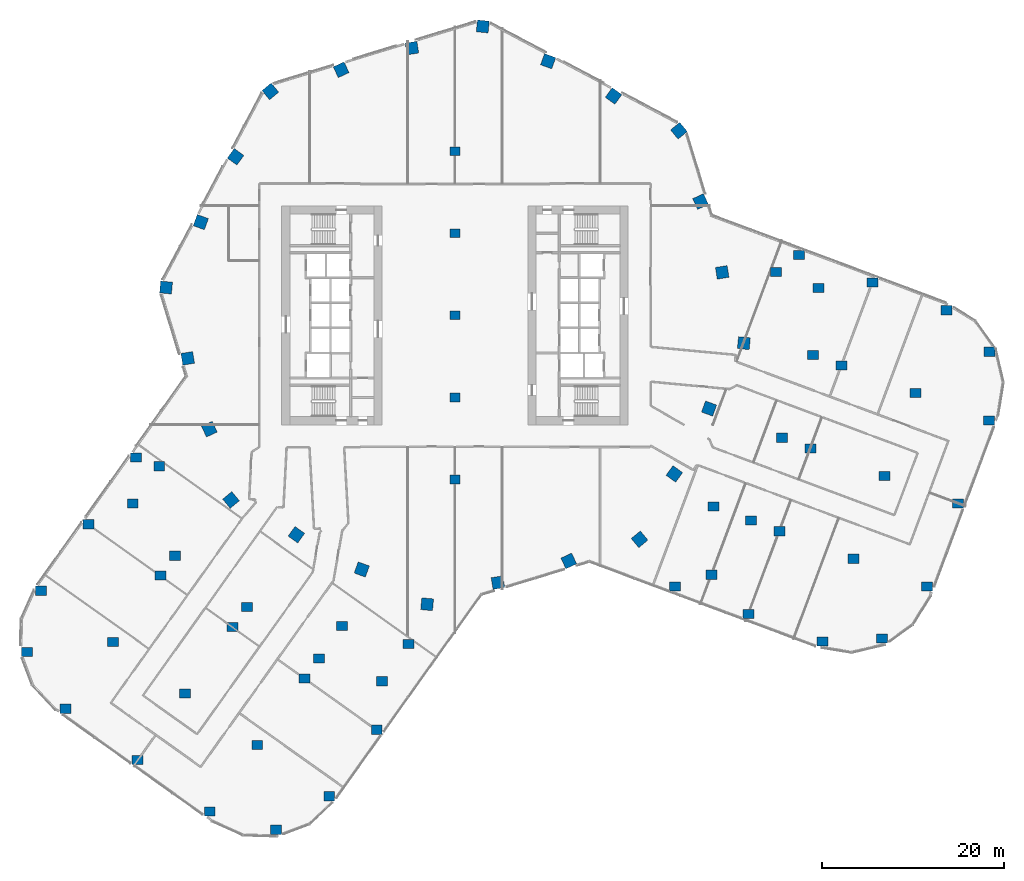
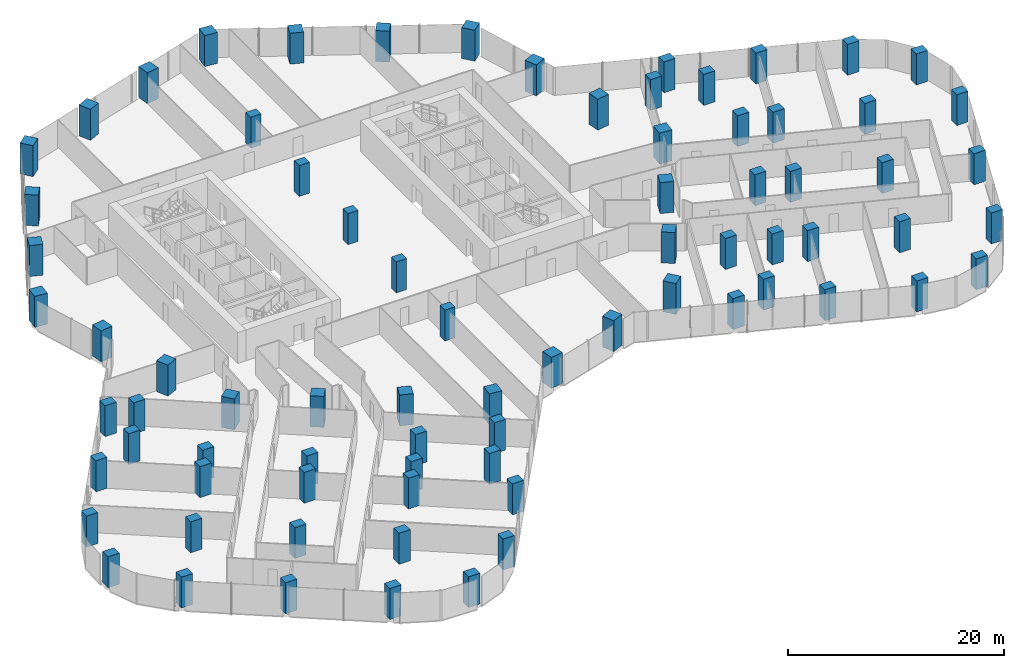
# One storey, part 1 of 31: 77 columns.
"""IFC4 building model written with IfcOpenShell, lengths in metres."""

from ifc_helpers import new_model, si_unit, direction, frame, origin, origin_2d, place, context, subcontext, project, spatial, rectangle, extrude, material, material_profile, profile_set, type_object, element, save


model = new_model("IFC4")

# Units and contexts
model_context = context("Model", 3, precision=1e-05, world=origin(), true_north=direction((0.0, 1.0)))
body_context = subcontext(model_context, "Body", "Model", "MODEL_VIEW")
ifc_project = project(units=[si_unit("LENGTHUNIT", "METRE"), si_unit("AREAUNIT", "SQUARE_METRE"), si_unit("VOLUMEUNIT", "CUBIC_METRE"), si_unit("PLANEANGLEUNIT", "RADIAN"), si_unit("MASSUNIT", "GRAM", prefix="KILO")], contexts=[model_context])

# Site, building, storey
site_placement = place(None, origin())
site = spatial("IfcSite", under=ifc_project, at=site_placement, CompositionType="ELEMENT")
building_placement = place(site_placement, origin())
building = spatial("IfcBuilding", under=site, at=building_placement, Name="Orlundy Tower", CompositionType="ELEMENT")
storey_placement = place(building_placement, frame((0.0, 0.0, 84.199951171875)))
storey = spatial("IfcBuildingStorey", under=building, at=storey_placement, Name="L20", CompositionType="ELEMENT", Elevation=84.199951171875)

# Columns
ifc_material_1 = material(Name="Concrete C80/95", Category="concrete")
ifc_material_profile_1 = material_profile(ifc_material_1, rectangle(XDim=1.10009765625, YDim=0.949951171875, at=origin_2d()), Name="RC1100X950")
ifc_profile_set_1 = profile_set([ifc_material_profile_1], Name="Concrete C80/95")
column_type_1 = type_object("IfcColumnType", Name="RC COLUMN RC1100X950 C80/95", PredefinedType="COLUMN", material=ifc_profile_set_1)
for number, where, z_axis, x_axis, name in (
    (1, (0.0, -18.0, 0.0), (0.0, 0.0, 1.0), (1.0, 0.0, 0.0), "Column C-M1 L20"),
    (2, (0.0, -9.0, 0.0), (0.0, 0.0, 1.0), (1.0, 0.0, 0.0), "Column C-M2 L20"),
    (3, (0.0, 0.0, 0.0), (0.0, 0.0, 1.0), (1.0, 0.0, 0.0), "Column C-M3 L20"),
    (4, (0.0, 9.0, 0.0), (0.0, 0.0, 1.0), (1.0, 0.0, 0.0), "Column C-M4 L20"),
    (5, (0.0, 18.0, 0.0), (0.0, 0.0, 1.0), (1.0, 0.0, 0.0), "Column C-M5 L20"),
):
    element("IfcColumn", number, at=place(storey_placement, frame(where, z_axis=z_axis, x_axis=x_axis)), inside=storey, type_object=column_type_1, Name=name, PredefinedType="COLUMN", context=body_context, shape_type="SweptSolid", body=[
        extrude(rectangle(XDim=1.10009765625, YDim=0.949951171875, at=origin_2d()), origin(), (0.0, 0.0, 1.0), 3.5),
    ])
ifc_material_2 = material(Name="Concrete C80/95", Category="concrete")
ifc_material_profile_2 = material_profile(ifc_material_2, rectangle(XDim=1.199951171875, YDim=1.0, at=origin_2d()), Name="RC1200X1000")
ifc_profile_set_2 = profile_set([ifc_material_profile_2], Name="Concrete C80/95")
column_type_2 = type_object("IfcColumnType", Name="RC COLUMN RC1200X1000 C80/95", PredefinedType="COLUMN", material=ifc_profile_set_2)
for number, where, z_axis, x_axis, name in (
    (6, (24.115966796875, -29.72802734375, 0.0), (0.0, 0.0, 1.0), (1.0, 0.0, 0.0), "Column C-A1-1 L20"),
    (7, (32.202880859375, -32.751953125, 0.0), (0.0, 0.0, 1.0), (1.0, 0.0, 0.0), "Column C-A1-2 L20"),
    (8, (40.291015625, -35.77099609375, 0.0), (0.0, 0.0, 1.0), (1.0, 0.0, 0.0), "Column C-A1-3 L20"),
    (9, (46.846923828125, -35.444091796875, 0.0), (0.0, 0.0, 1.0), (1.0, 0.0, 0.0), "Column C-A1-5 L20"),
    (10, (28.114013671875, -28.43994140625, 0.0), (0.0, 0.0, 1.0), (1.0, 0.0, 0.0), "Column C-A1-6 L20"),
    (11, (35.60009765625, -23.666015625, 0.0), (0.0, 0.0, 1.0), (1.0, 0.0, 0.0), "Column C-A2-2 L20"),
    (12, (43.68603515625, -26.68896484375, 0.0), (0.0, 0.0, 1.0), (1.0, 0.0, 0.0), "Column C-A2-3 L20"),
    (13, (51.77294921875, -29.712890625, 0.0), (0.0, 0.0, 1.0), (1.0, 0.0, 0.0), "Column C-A2-5 L20"),
    (14, (32.47802734375, -22.4990234375, 0.0), (0.0, 0.0, 1.0), (1.0, 0.0, 0.0), "Column C-A2-6 L20"),
    (15, (28.35595703125, -20.9580078125, 0.0), (0.0, 0.0, 1.0), (1.0, 0.0, 0.0), "Column C-A2-7 L20"),
    (16, (38.9970703125, -14.580078125, 0.0), (0.0, 0.0, 1.0), (1.0, 0.0, 0.0), "Column C-A3-2 L20"),
    (17, (47.0830078125, -17.60400390625, 0.0), (0.0, 0.0, 1.0), (1.0, 0.0, 0.0), "Column C-A3-3 L20"),
    (18, (55.169921875, -20.626953125, 0.0), (0.0, 0.0, 1.0), (1.0, 0.0, 0.0), "Column C-A3-5 L20"),
    (19, (35.875, -13.4130859375, 0.0), (0.0, 0.0, 1.0), (1.0, 0.0, 0.0), "Column C-A3-6 L20"),
    (20, (42.39404296875, -5.4951171875, 0.0), (0.0, 0.0, 1.0), (1.0, 0.0, 0.0), "Column C-A4-2 L20"),
    (21, (50.47998046875, -8.51806640625, 0.0), (0.0, 0.0, 1.0), (1.0, 0.0, 0.0), "Column C-A4-3 L20"),
    (22, (58.56689453125, -11.541015625, 0.0), (0.0, 0.0, 1.0), (1.0, 0.0, 0.0), "Column C-A4-5 L20"),
    (23, (39.27197265625, -4.326904296875, 0.0), (0.0, 0.0, 1.0), (1.0, 0.0, 0.0), "Column C-A4-6 L20"),
    (24, (37.7041015625, 6.614990234375, 0.0), (0.0, 0.0, 1.0), (1.0, 0.0, 0.0), "Column C-A5-1 L20"),
    (25, (45.791015625, 3.591064453125, 0.0), (0.0, 0.0, 1.0), (1.0, 0.0, 0.0), "Column C-A5-2 L20"),
    (26, (53.8759765625, 0.56396484375, 0.0), (0.0, 0.0, 1.0), (1.0, 0.0, 0.0), "Column C-A5-3 L20"),
    (27, (58.60888671875, -3.985107421875, 0.0), (0.0, 0.0, 1.0), (1.0, 0.0, 0.0), "Column C-A5-5 L20"),
    (28, (39.8759765625, 3.02001953125, 0.0), (0.0, 0.0, 1.0), (1.0, 0.0, 0.0), "Column C-A5-6 L20"),
    (29, (35.193115234375, 4.77099609375, 0.0), (0.0, 0.0, 1.0), (1.0, 0.0, 0.0), "Column C-A5-7 L20"),
    (30, (-34.95703125, -15.60009765625, 0.0), (0.0, 0.0, 1.0), (1.0, 0.0, 0.0), "Column C-B1-1 L20"),
    (31, (-40.1640625, -22.89990234375, 0.0), (0.0, 0.0, 1.0), (1.0, 0.0, 0.0), "Column C-B1-2 L20"),
    (32, (-45.37109375, -30.199951171875, 0.0), (0.0, 0.0, 1.0), (1.0, 0.0, 0.0), "Column C-B1-3 L20"),
    (33, (-46.94189453125, -36.89111328125, 0.0), (0.0, 0.0, 1.0), (1.0, 0.0, 0.0), "Column C-B1-5 L20"),
    (34, (-35.327880859375, -20.60888671875, 0.0), (0.0, 0.0, 1.0), (1.0, 0.0, 0.0), "Column C-B1-6 L20"),
    (35, (-32.424072265625, -16.5390625, 0.0), (0.0, 0.0, 1.0), (1.0, 0.0, 0.0), "Column C-B1-7 L20"),
    (36, (-32.26708984375, -28.532958984375, 0.0), (0.0, 0.0, 1.0), (1.0, 0.0, 0.0), "Column C-B2-2 L20"),
    (37, (-37.47412109375, -35.8330078125, 0.0), (0.0, 0.0, 1.0), (1.0, 0.0, 0.0), "Column C-B2-3 L20"),
    (38, (-42.680908203125, -43.133056640625, 0.0), (0.0, 0.0, 1.0), (1.0, 0.0, 0.0), "Column C-B2-5 L20"),
    (39, (-30.718994140625, -26.362060546875, 0.0), (0.0, 0.0, 1.0), (1.0, 0.0, 0.0), "Column C-B2-6 L20"),
    (40, (-24.3701171875, -34.166015625, 0.0), (0.0, 0.0, 1.0), (1.0, 0.0, 0.0), "Column C-B3-2 L20"),
    (41, (-29.576904296875, -41.466064453125, 0.0), (0.0, 0.0, 1.0), (1.0, 0.0, 0.0), "Column C-B3-3 L20"),
    (42, (-34.783935546875, -48.76611328125, 0.0), (0.0, 0.0, 1.0), (1.0, 0.0, 0.0), "Column C-B3-5 L20"),
    (43, (-22.822021484375, -31.9951171875, 0.0), (0.0, 0.0, 1.0), (1.0, 0.0, 0.0), "Column C-B3-6 L20"),
    (44, (-16.472900390625, -39.799072265625, 0.0), (0.0, 0.0, 1.0), (1.0, 0.0, 0.0), "Column C-B4-2 L20"),
    (45, (-21.679931640625, -47.097900390625, 0.0), (0.0, 0.0, 1.0), (1.0, 0.0, 0.0), "Column C-B4-3 L20"),
    (46, (-26.886962890625, -54.39794921875, 0.0), (0.0, 0.0, 1.0), (1.0, 0.0, 0.0), "Column C-B4-5 L20"),
    (47, (-14.925048828125, -37.6279296875, 0.0), (0.0, 0.0, 1.0), (1.0, 0.0, 0.0), "Column C-B4-6 L20"),
    (48, (-12.3701171875, -34.044921875, 0.0), (0.0, 0.0, 1.0), (1.0, 0.0, 0.0), "Column C-B4-7 L20"),
    (49, (-8.575927734375, -45.430908203125, 0.0), (0.0, 0.0, 1.0), (1.0, 0.0, 0.0), "Column C-B5-2 L20"),
    (50, (-13.782958984375, -52.73095703125, 0.0), (0.0, 0.0, 1.0), (1.0, 0.0, 0.0), "Column C-B5-3 L20"),
    (51, (-19.59912109375, -56.39501953125, 0.0), (0.0, 0.0, 1.0), (1.0, 0.0, 0.0), "Column C-B5-5 L20"),
    (52, (-7.985107421875, -40.113037109375, 0.0), (0.0, 0.0, 1.0), (1.0, 0.0, 0.0), "Column C-B5-6 L20"),
    (53, (-5.0810546875, -36.0419921875, 0.0), (0.0, 0.0, 1.0), (1.0, 0.0, 0.0), "Column C-B5-7 L20"),
):
    element("IfcColumn", number, at=place(storey_placement, frame(where, z_axis=z_axis, x_axis=x_axis)), inside=storey, type_object=column_type_2, Name=name, PredefinedType="COLUMN", context=body_context, shape_type="SweptSolid", body=[
        extrude(rectangle(XDim=1.199951171875, YDim=1.0, at=origin_2d()), origin(), (0.0, 0.0, 1.0), 3.5),
    ])
ifc_material_3 = material(Name="Concrete C80/95", Category="concrete")
ifc_material_profile_3 = material_profile(ifc_material_3, rectangle(XDim=1.300048828125, YDim=1.300048828125, at=origin_2d()), Name="RC1300X1300")
ifc_profile_set_3 = profile_set([ifc_material_profile_3], Name="Concrete C80/95")
column_type_3 = type_object("IfcColumnType", Name="RC COLUMN RC1300X1300 C80/95", PredefinedType="COLUMN", material=ifc_profile_set_3)
for number, where, z_axis, x_axis, name in (
    (54, (24.554931640625, 20.240966796875, 0.0), (0.0, 0.0, 1.0), (0.771635684929, 0.636064752791, 0.0), "Column C-H01 L20"),
    (55, (26.928955078125, 12.47802734375, 0.0), (0.0, 0.0, 1.0), (0.907330394129, 0.420418310601, 0.0), "Column C-H02 L20"),
    (56, (29.302001953125, 4.714111328125, 0.0), (0.0, 0.0, 1.0), (0.987305923232, 0.158830141822, 0.0), "Column C-H03 L20"),
    (57, (31.676025390625, -3.050048828125, 0.0), (0.0, 0.0, 1.0), (0.995396198367, -0.09584575252, 0.0), "Column C-H04 L20"),
    (58, (27.864013671875, -10.218017578125, 0.0), (0.0, 0.0, 1.0), (0.938866121832, -0.344282449852, 0.0), "Column C-H05 L20"),
    (59, (24.052978515625, -17.386962890625, 0.0), (0.0, 0.0, 1.0), (0.810430359136, -0.585834987851, 0.0), "Column C-H06 L20"),
    (60, (20.240966796875, -24.554931640625, 0.0), (0.0, 0.0, 1.0), (0.636064752791, -0.771635684929, 0.0), "Column C-H07 L20"),
    (61, (12.47802734375, -26.928955078125, 0.0), (0.0, 0.0, 1.0), (0.420418310601, -0.907330394129, 0.0), "Column C-H08 L20"),
    (62, (4.714111328125, -29.302001953125, 0.0), (0.0, 0.0, 1.0), (0.158830141822, -0.987305923232, 0.0), "Column C-H09 L20"),
    (63, (-3.050048828125, -31.676025390625, 0.0), (0.0, 0.0, 1.0), (-0.09584575252, -0.995396198367, 0.0), "Column C-H10 L20"),
    (64, (-10.218017578125, -27.864013671875, 0.0), (0.0, 0.0, 1.0), (-0.344282449852, -0.938866121832, 0.0), "Column C-H11 L20"),
    (65, (-17.386962890625, -24.052978515625, 0.0), (0.0, 0.0, 1.0), (-0.585834987851, -0.810430359136, 0.0), "Column C-H12 L20"),
    (66, (-24.554931640625, -20.240966796875, 0.0), (0.0, 0.0, 1.0), (-0.771635684929, -0.636064752791, 0.0), "Column C-H13 L20"),
    (67, (-26.928955078125, -12.47802734375, 0.0), (0.0, 0.0, 1.0), (-0.907330394129, -0.420418310601, 0.0), "Column C-H14 L20"),
    (68, (-29.302001953125, -4.714111328125, 0.0), (0.0, 0.0, 1.0), (-0.987305923232, -0.158830141822, 0.0), "Column C-H15 L20"),
    (69, (-31.676025390625, 3.050048828125, 0.0), (0.0, 0.0, 1.0), (-0.995396198367, 0.09584575252, 0.0), "Column C-H16 L20"),
    (70, (-27.864013671875, 10.218017578125, 0.0), (0.0, 0.0, 1.0), (-0.938866121832, 0.344282449852, 0.0), "Column C-H17 L20"),
    (71, (-24.052978515625, 17.386962890625, 0.0), (0.0, 0.0, 1.0), (-0.810430359136, 0.585834987851, 0.0), "Column C-H18 L20"),
    (72, (-20.240966796875, 24.554931640625, 0.0), (0.0, 0.0, 1.0), (-0.636064752791, 0.771635684929, 0.0), "Column C-H19 L20"),
    (73, (-12.47802734375, 26.928955078125, 0.0), (0.0, 0.0, 1.0), (-0.420418310601, 0.907330394129, 0.0), "Column C-H20 L20"),
    (74, (-4.714111328125, 29.302001953125, 0.0), (0.0, 0.0, 1.0), (-0.158830141822, 0.987305923232, 0.0), "Column C-H21 L20"),
    (75, (3.050048828125, 31.676025390625, 0.0), (0.0, 0.0, 1.0), (0.09584575252, 0.995396198367, 0.0), "Column C-H22 L20"),
    (76, (10.218017578125, 27.864013671875, 0.0), (0.0, 0.0, 1.0), (0.344282449852, 0.938866121832, 0.0), "Column C-H23 L20"),
    (77, (17.386962890625, 24.052978515625, 0.0), (0.0, 0.0, 1.0), (0.585834987851, 0.810430359136, 0.0), "Column C-H24 L20"),
):
    element("IfcColumn", number, at=place(storey_placement, frame(where, z_axis=z_axis, x_axis=x_axis)), inside=storey, type_object=column_type_3, Name=name, PredefinedType="COLUMN", context=body_context, shape_type="SweptSolid", body=[
        extrude(rectangle(XDim=1.300048828125, YDim=1.300048828125, at=origin_2d()), origin(), (0.0, 0.0, 1.0), 3.5),
    ])

save(model, "model.ifc")
